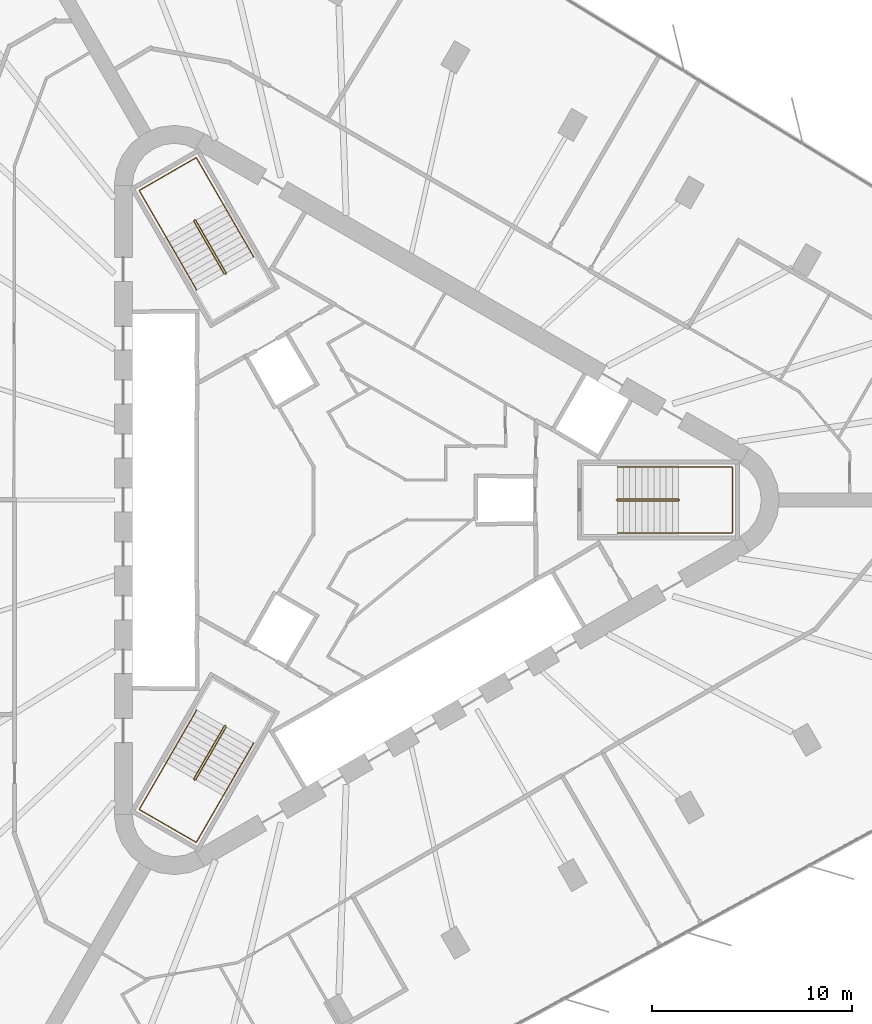
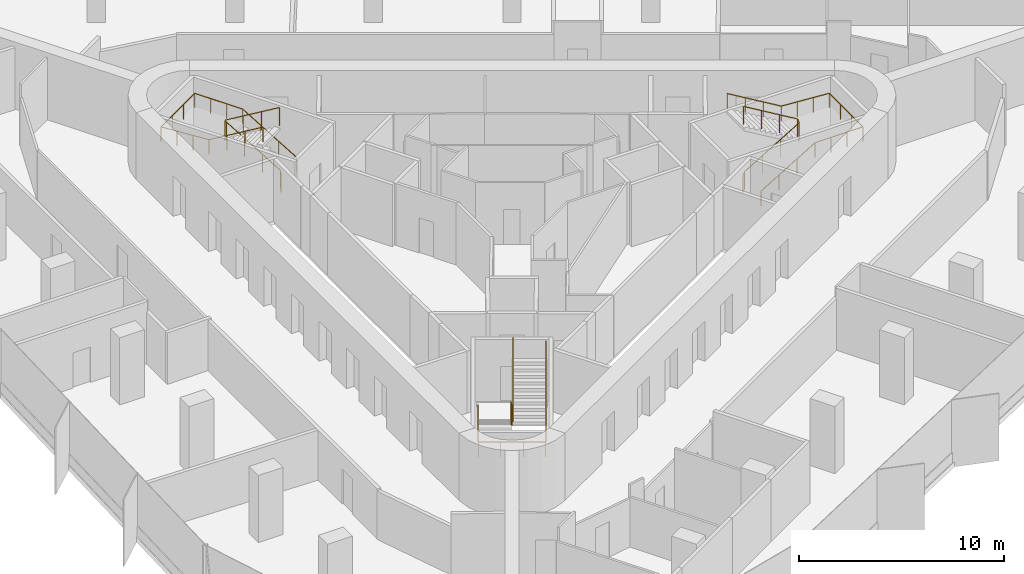
# One storey, part 14 of 14: 6 railings.
"""IFC4 building model written with IfcOpenShell, lengths in metres."""

from ifc_helpers import new_model, si_unit, direction, frame, origin, origin_2d, place, context, subcontext, project, spatial, circle, extrude, material, type_object, element, save


model = new_model("IFC4")

# Units and contexts
model_context = context("Model", 3, precision=1e-05, world=origin(), true_north=direction((0.0, 1.0)))
body_context = subcontext(model_context, "Body", "Model", "MODEL_VIEW")
ifc_project = project(units=[si_unit("LENGTHUNIT", "METRE"), si_unit("AREAUNIT", "SQUARE_METRE"), si_unit("VOLUMEUNIT", "CUBIC_METRE"), si_unit("PLANEANGLEUNIT", "RADIAN"), si_unit("MASSUNIT", "GRAM", prefix="KILO")], contexts=[model_context])

# Site, building, storey
site_placement = place(None, origin())
site = spatial("IfcSite", under=ifc_project, at=site_placement, CompositionType="ELEMENT")
building_placement = place(site_placement, origin())
building = spatial("IfcBuilding", under=site, at=building_placement, Name="Tanit Gate Tower", CompositionType="ELEMENT")
storey_placement = place(building_placement, frame((0.0, 0.0, 245.199951171875)))
storey = spatial("IfcBuildingStorey", under=building, at=storey_placement, Name="L55", CompositionType="ELEMENT", Elevation=245.199951171875)

# Railings
ifc_material_1 = material(Name="Stainless steel balustrade", Category="steel")
railing_type_1 = type_object("IfcRailingType", Name="INT-STAIR-GUARD", PredefinedType="GUARDRAIL", material=ifc_material_1)
railing_1_placement = place(storey_placement, frame((13.044921875, 0.0048828125, 0.0)))
element("IfcRailing", 1, at=railing_1_placement, inside=storey, type_object=railing_type_1, Name="L55 S1 stair guard 1", PredefinedType="GUARDRAIL", context=body_context, shape_type="SweptSolid", body=[
    extrude(circle(Radius=0.02392578125, at=origin_2d()), frame((0.0, 0.0, 1.076171875), z_axis=(0.0, -1.0, 0.0), x_axis=(1.0, 0.0, 0.0)), (0.0, 0.0, 1.0), 0.009765625),
    extrude(circle(Radius=0.02392578125, at=origin_2d()), frame((0.0, -0.009765625, 1.076171875), z_axis=(0.256435381639, -0.256435381639, 0.931923704005), x_axis=(0.707106781187, 0.707106781187, 0.0)), (0.0, 0.0, 1.0), 0.195068359375),
    extrude(circle(Radius=0.02392578125, at=origin_2d()), frame((0.050048828125, -0.059814453125, 1.2578125), z_axis=(0.859041732319, 0.0, 0.511905559781), x_axis=(0.0, 1.0, 0.0)), (0.0, 0.0, 1.0), 3.5517578125),
    extrude(circle(Radius=0.02392578125, at=origin_2d()), frame((3.10107421875, -0.059814453125, 3.076171875), z_axis=(0.707106781187, 0.707106781187, 0.0), x_axis=(-0.707106781187, 0.707106781187, 0.0)), (0.0, 0.0, 1.0), 0.07080078125),
    extrude(circle(Radius=0.02392578125, at=origin_2d()), frame((3.151123046875, -0.009765625, 3.076171875), z_axis=(0.0, 1.0, 0.0), x_axis=(-1.0, 0.0, 0.0)), (0.0, 0.0, 1.0), 0.009765625),
    extrude(circle(Radius=0.02392578125, at=origin_2d()), frame((3.151123046875, 0.0, 3.076171875), z_axis=(-0.256435381639, 0.256435381639, 0.931923704005), x_axis=(-0.707106781187, -0.707106781187, 0.0)), (0.0, 0.0, 1.0), 0.195068359375),
    extrude(circle(Radius=0.02392578125, at=origin_2d()), frame((3.10107421875, 0.050048828125, 3.2578125), z_axis=(-0.859041732319, 0.0, 0.511905559781), x_axis=(0.0, -1.0, 0.0)), (0.0, 0.0, 1.0), 3.5517578125),
    extrude(circle(Radius=0.02099609375, at=origin_2d()), origin(), (0.0, 0.0, 1.0), 1.052001953125),
    extrude(circle(Radius=0.02099609375, at=origin_2d()), frame((0.0, -0.009765625, 0.0)), (0.0, 0.0, 1.0), 1.052001953125),
    extrude(circle(Radius=0.02099609375, at=origin_2d()), frame((0.050048828125, -0.059814453125, 0.181884765625)), (0.0, 0.0, 1.0), 1.052001953125),
    extrude(circle(Radius=0.02099609375, at=origin_2d()), frame((1.067138671875, -0.059814453125, 0.787841796875)), (0.0, 0.0, 1.0), 1.052001953125),
    extrude(circle(Radius=0.02099609375, at=origin_2d()), frame((2.083984375, -0.059814453125, 1.39404296875)), (0.0, 0.0, 1.0), 1.052001953125),
    extrude(circle(Radius=0.02099609375, at=origin_2d()), frame((3.10107421875, -0.059814453125, 2.0)), (0.0, 0.0, 1.0), 1.052001953125),
    extrude(circle(Radius=0.02099609375, at=origin_2d()), frame((3.151123046875, -0.009765625, 2.0)), (0.0, 0.0, 1.0), 1.052001953125),
    extrude(circle(Radius=0.02099609375, at=origin_2d()), frame((3.151123046875, 0.0, 2.0)), (0.0, 0.0, 1.0), 1.052001953125),
    extrude(circle(Radius=0.02099609375, at=origin_2d()), frame((3.10107421875, 0.050048828125, 2.181884765625)), (0.0, 0.0, 1.0), 1.052001953125),
    extrude(circle(Radius=0.02099609375, at=origin_2d()), frame((2.083984375, 0.050048828125, 2.787841796875)), (0.0, 0.0, 1.0), 1.052001953125),
    extrude(circle(Radius=0.02099609375, at=origin_2d()), frame((1.067138671875, 0.050048828125, 3.39404296875)), (0.0, 0.0, 1.0), 1.052001953125),
    extrude(circle(Radius=0.02099609375, at=origin_2d()), frame((0.050048828125, 0.050048828125, 4.0)), (0.0, 0.0, 1.0), 1.052001953125),
])
railing_2_placement = place(storey_placement, frame((-6.527099609375, 11.29345703125, 0.0)))
element("IfcRailing", 2, at=railing_2_placement, inside=storey, type_object=railing_type_1, Name="L55 S2 stair guard 1", PredefinedType="GUARDRAIL", context=body_context, shape_type="SweptSolid", body=[
    extrude(circle(Radius=0.02392578125, at=origin_2d()), frame((0.0, 0.0, 1.076171875), z_axis=(0.868243142124, 0.496138938357, 0.0), x_axis=(-0.496138938357, 0.868243142124, 0.0)), (0.0, 0.0, 1.0), 0.01171875),
    extrude(circle(Radius=0.02392578125, at=origin_2d()), frame((0.01025390625, 0.005859375, 1.076171875), z_axis=(0.093819657636, 0.350260055175, 0.93194193252), x_axis=(-0.965948051503, 0.258736085224, 0.0)), (0.0, 0.0, 1.0), 0.195068359375),
    extrude(circle(Radius=0.02392578125, at=origin_2d()), frame((0.028564453125, 0.07421875, 1.2578125), z_axis=(-0.429472220917, 0.743822504634, 0.512134448226), x_axis=(-0.866012246495, -0.500022788402, 0.0)), (0.0, 0.0, 1.0), 3.550048828125),
    extrude(circle(Radius=0.02392578125, at=origin_2d()), frame((-1.49609375, 2.71484375, 3.076171875), z_axis=(-0.965715946433, 0.259601060869, 0.0), x_axis=(-0.259601060869, -0.965715946433, 0.0)), (0.0, 0.0, 1.0), 0.070556640625),
    extrude(circle(Radius=0.02392578125, at=origin_2d()), frame((-1.564208984375, 2.733154296875, 3.076171875), z_axis=(-0.873197702015, -0.487366159264, 0.0), x_axis=(0.487366159264, -0.873197702015, 0.0)), (0.0, 0.0, 1.0), 0.011962890625),
    extrude(circle(Radius=0.02392578125, at=origin_2d()), frame((-1.57470703125, 2.727294921875, 3.076171875), z_axis=(-0.093819657636, -0.350260055175, 0.93194193252), x_axis=(0.965948051503, -0.258736085224, 0.0)), (0.0, 0.0, 1.0), 0.195068359375),
    extrude(circle(Radius=0.02392578125, at=origin_2d()), frame((-1.593017578125, 2.658935546875, 3.2578125), z_axis=(0.429472220917, -0.743822504634, 0.512134448226), x_axis=(0.866012246495, 0.500022788402, 0.0)), (0.0, 0.0, 1.0), 3.550048828125),
    extrude(circle(Radius=0.02099609375, at=origin_2d()), origin(), (0.0, 0.0, 1.0), 1.052001953125),
    extrude(circle(Radius=0.02099609375, at=origin_2d()), frame((0.01025390625, 0.005859375, 0.0)), (0.0, 0.0, 1.0), 1.052001953125),
    extrude(circle(Radius=0.02099609375, at=origin_2d()), frame((0.028564453125, 0.07421875, 0.181884765625)), (0.0, 0.0, 1.0), 1.052001953125),
    extrude(circle(Radius=0.02099609375, at=origin_2d()), frame((-0.479736328125, 0.954345703125, 0.787841796875)), (0.0, 0.0, 1.0), 1.052001953125),
    extrude(circle(Radius=0.02099609375, at=origin_2d()), frame((-0.98779296875, 1.834716796875, 1.39404296875)), (0.0, 0.0, 1.0), 1.052001953125),
    extrude(circle(Radius=0.02099609375, at=origin_2d()), frame((-1.49609375, 2.71484375, 2.0)), (0.0, 0.0, 1.0), 1.052001953125),
    extrude(circle(Radius=0.02099609375, at=origin_2d()), frame((-1.564208984375, 2.733154296875, 2.0)), (0.0, 0.0, 1.0), 1.052001953125),
    extrude(circle(Radius=0.02099609375, at=origin_2d()), frame((-1.57470703125, 2.727294921875, 2.0)), (0.0, 0.0, 1.0), 1.052001953125),
    extrude(circle(Radius=0.02099609375, at=origin_2d()), frame((-1.593017578125, 2.658935546875, 2.181884765625)), (0.0, 0.0, 1.0), 1.052001953125),
    extrude(circle(Radius=0.02099609375, at=origin_2d()), frame((-1.084716796875, 1.77880859375, 2.787841796875)), (0.0, 0.0, 1.0), 1.052001953125),
    extrude(circle(Radius=0.02099609375, at=origin_2d()), frame((-0.57666015625, 0.8984375, 3.39404296875)), (0.0, 0.0, 1.0), 1.052001953125),
    extrude(circle(Radius=0.02099609375, at=origin_2d()), frame((-0.068359375, 0.018310546875, 4.0)), (0.0, 0.0, 1.0), 1.052001953125),
])
railing_3_placement = place(storey_placement, frame((-6.51806640625, -11.2998046875, 0.0)))
element("IfcRailing", 3, at=railing_3_placement, inside=storey, type_object=railing_type_1, Name="L55 S3 stair guard 1", PredefinedType="GUARDRAIL", context=body_context, shape_type="SweptSolid", body=[
    extrude(circle(Radius=0.02392578125, at=origin_2d()), frame((0.0, 0.0, 1.076171875), z_axis=(-0.874157276122, 0.485642931179, 0.0), x_axis=(-0.485642931179, -0.874157276122, 0.0)), (0.0, 0.0, 1.0), 0.010009765625),
    extrude(circle(Radius=0.02392578125, at=origin_2d()), frame((-0.0087890625, 0.0048828125, 1.076171875), z_axis=(-0.350300895388, -0.092579522353, 0.932050596658), x_axis=(0.255512919477, -0.966805641264, 0.0)), (0.0, 0.0, 1.0), 0.195068359375),
    extrude(circle(Radius=0.02392578125, at=origin_2d()), frame((-0.0771484375, -0.01318359375, 1.2578125), z_axis=(-0.429486674828, -0.743971555965, 0.511905772639), x_axis=(0.866048339477, -0.499960272111, 0.0)), (0.0, 0.0, 1.0), 3.5517578125),
    extrude(circle(Radius=0.02392578125, at=origin_2d()), frame((-1.6025390625, -2.655517578125, 3.076171875), z_axis=(0.258736085224, -0.965948051503, 0.0), x_axis=(0.965948051503, 0.258736085224, 0.0)), (0.0, 0.0, 1.0), 0.07080078125),
    extrude(circle(Radius=0.02392578125, at=origin_2d()), frame((-1.584228515625, -2.723876953125, 3.076171875), z_axis=(0.868243142124, -0.496138938357, 0.0), x_axis=(0.496138938357, 0.868243142124, 0.0)), (0.0, 0.0, 1.0), 0.009765625),
    extrude(circle(Radius=0.02392578125, at=origin_2d()), frame((-1.57568359375, -2.728759765625, 3.076171875), z_axis=(0.350260055175, 0.093819657636, 0.93194193252), x_axis=(-0.258736085224, 0.965948051503, 0.0)), (0.0, 0.0, 1.0), 0.195068359375),
    extrude(circle(Radius=0.02392578125, at=origin_2d()), frame((-1.50732421875, -2.71044921875, 3.2578125), z_axis=(0.429564698942, 0.743918894535, 0.511916836777), x_axis=(-0.865993683553, 0.500054937028, 0.0)), (0.0, 0.0, 1.0), 3.551513671875),
    extrude(circle(Radius=0.02099609375, at=origin_2d()), origin(), (0.0, 0.0, 1.0), 1.052001953125),
    extrude(circle(Radius=0.02099609375, at=origin_2d()), frame((-0.0087890625, 0.0048828125, 0.0)), (0.0, 0.0, 1.0), 1.052001953125),
    extrude(circle(Radius=0.02099609375, at=origin_2d()), frame((-0.0771484375, -0.01318359375, 0.181884765625)), (0.0, 0.0, 1.0), 1.052001953125),
    extrude(circle(Radius=0.02099609375, at=origin_2d()), frame((-0.585693359375, -0.89404296875, 0.787841796875)), (0.0, 0.0, 1.0), 1.052001953125),
    extrude(circle(Radius=0.02099609375, at=origin_2d()), frame((-1.093994140625, -1.774658203125, 1.39404296875)), (0.0, 0.0, 1.0), 1.052001953125),
    extrude(circle(Radius=0.02099609375, at=origin_2d()), frame((-1.6025390625, -2.655517578125, 2.0)), (0.0, 0.0, 1.0), 1.052001953125),
    extrude(circle(Radius=0.02099609375, at=origin_2d()), frame((-1.584228515625, -2.723876953125, 2.0)), (0.0, 0.0, 1.0), 1.052001953125),
    extrude(circle(Radius=0.02099609375, at=origin_2d()), frame((-1.57568359375, -2.728759765625, 2.0)), (0.0, 0.0, 1.0), 1.052001953125),
    extrude(circle(Radius=0.02099609375, at=origin_2d()), frame((-1.50732421875, -2.71044921875, 2.181884765625)), (0.0, 0.0, 1.0), 1.052001953125),
    extrude(circle(Radius=0.02099609375, at=origin_2d()), frame((-0.998779296875, -1.829833984375, 2.787841796875)), (0.0, 0.0, 1.0), 1.052001953125),
    extrude(circle(Radius=0.02099609375, at=origin_2d()), frame((-0.490234375, -0.948974609375, 3.39404296875)), (0.0, 0.0, 1.0), 1.052001953125),
    extrude(circle(Radius=0.02099609375, at=origin_2d()), frame((0.018310546875, -0.068359375, 4.0)), (0.0, 0.0, 1.0), 1.052001953125),
])
ifc_material_2 = material(Name="Stainless steel handrail", Category="steel")
railing_type_2 = type_object("IfcRailingType", Name="INT-STAIR-HANDRAIL", PredefinedType="HANDRAIL", material=ifc_material_2)
railing_4_placement = place(storey_placement, frame((13.094970703125, -1.64990234375, 0.181884765625)))
element("IfcRailing", 4, at=railing_4_placement, inside=storey, type_object=railing_type_2, Name="L55 S1 stair handrail 1", PredefinedType="HANDRAIL", context=body_context, shape_type="SweptSolid", body=[
    extrude(circle(Radius=0.02392578125, at=origin_2d()), frame((0.0, 0.0, 0.8759765625), z_axis=(0.859041732319, 0.0, 0.511905559781), x_axis=(0.0, 1.0, 0.0)), (0.0, 0.0, 1.0), 3.5517578125),
    extrude(circle(Radius=0.02392578125, at=origin_2d()), frame((3.051025390625, 0.0, 2.69384765625), z_axis=(1.0, 0.0, 0.0), x_axis=(0.0, 1.0, 0.0)), (0.0, 0.0, 1.0), 2.7041015625),
    extrude(circle(Radius=0.02392578125, at=origin_2d()), frame((5.755126953125, 0.0, 2.69384765625), z_axis=(0.0, 1.0, 0.0), x_axis=(-1.0, 0.0, 0.0)), (0.0, 0.0, 1.0), 3.2998046875),
    extrude(circle(Radius=0.02392578125, at=origin_2d()), frame((5.755126953125, 3.2998046875, 2.69384765625), z_axis=(-0.997745521698, 0.0, 0.067110907698), x_axis=(0.0, -1.0, 0.0)), (0.0, 0.0, 1.0), 2.710205078125),
    extrude(circle(Radius=0.02392578125, at=origin_2d()), frame((3.051025390625, 3.2998046875, 2.8759765625), z_axis=(-0.859041732319, 0.0, 0.511905559781), x_axis=(0.0, -1.0, 0.0)), (0.0, 0.0, 1.0), 3.5517578125),
    extrude(circle(Radius=0.02099609375, at=origin_2d()), origin(), (0.0, 0.0, 1.0), 0.851806640625),
    extrude(circle(Radius=0.02099609375, at=origin_2d()), frame((1.01708984375, 0.0, 0.60595703125)), (0.0, 0.0, 1.0), 0.851806640625),
    extrude(circle(Radius=0.02099609375, at=origin_2d()), frame((2.033935546875, 0.0, 1.212158203125)), (0.0, 0.0, 1.0), 0.851806640625),
    extrude(circle(Radius=0.02099609375, at=origin_2d()), frame((3.051025390625, 0.0, 1.818115234375)), (0.0, 0.0, 1.0), 0.851806640625),
    extrude(circle(Radius=0.02099609375, at=origin_2d()), frame((3.952392578125, 0.0, 1.818115234375)), (0.0, 0.0, 1.0), 0.851806640625),
    extrude(circle(Radius=0.02099609375, at=origin_2d()), frame((4.853759765625, 0.0, 1.818115234375)), (0.0, 0.0, 1.0), 0.851806640625),
    extrude(circle(Radius=0.02099609375, at=origin_2d()), frame((5.755126953125, 0.0, 1.818115234375)), (0.0, 0.0, 1.0), 0.851806640625),
    extrude(circle(Radius=0.02099609375, at=origin_2d()), frame((5.755126953125, 1.099853515625, 1.818115234375)), (0.0, 0.0, 1.0), 0.851806640625),
    extrude(circle(Radius=0.02099609375, at=origin_2d()), frame((5.755126953125, 2.199951171875, 1.818115234375)), (0.0, 0.0, 1.0), 0.851806640625),
    extrude(circle(Radius=0.02099609375, at=origin_2d()), frame((5.755126953125, 3.2998046875, 1.818115234375)), (0.0, 0.0, 1.0), 0.851806640625),
    extrude(circle(Radius=0.02099609375, at=origin_2d()), frame((4.853759765625, 3.2998046875, 1.878662109375)), (0.0, 0.0, 1.0), 0.851806640625),
    extrude(circle(Radius=0.02099609375, at=origin_2d()), frame((3.952392578125, 3.2998046875, 1.939453125)), (0.0, 0.0, 1.0), 0.851806640625),
    extrude(circle(Radius=0.02099609375, at=origin_2d()), frame((3.051025390625, 3.2998046875, 2.0)), (0.0, 0.0, 1.0), 0.851806640625),
    extrude(circle(Radius=0.02099609375, at=origin_2d()), frame((2.033935546875, 3.2998046875, 2.60595703125)), (0.0, 0.0, 1.0), 0.851806640625),
    extrude(circle(Radius=0.02099609375, at=origin_2d()), frame((1.01708984375, 3.2998046875, 3.212158203125)), (0.0, 0.0, 1.0), 0.851806640625),
    extrude(circle(Radius=0.02099609375, at=origin_2d()), frame((0.0, 3.2998046875, 3.818115234375)), (0.0, 0.0, 1.0), 0.851806640625),
])
railing_5_placement = place(storey_placement, frame((-5.1181640625, 12.164794921875, 0.181884765625)))
element("IfcRailing", 5, at=railing_5_placement, inside=storey, type_object=railing_type_2, Name="L55 S2 stair handrail 1", PredefinedType="HANDRAIL", context=body_context, shape_type="SweptSolid", body=[
    extrude(circle(Radius=0.02392578125, at=origin_2d()), frame((0.0, 0.0, 0.8759765625), z_axis=(-0.429416132344, 0.743844472684, 0.512149573602), x_axis=(-0.866046917185, -0.499962735845, 0.0)), (0.0, 0.0, 1.0), 3.550048828125),
    extrude(circle(Radius=0.02392578125, at=origin_2d()), frame((-1.5244140625, 2.640625, 2.69384765625), z_axis=(-0.500019123664, 0.86601436245, 0.0), x_axis=(-0.86601436245, -0.500019123664, 0.0)), (0.0, 0.0, 1.0), 2.70703125),
    extrude(circle(Radius=0.02392578125, at=origin_2d()), frame((-2.8779296875, 4.98486328125, 2.69384765625), z_axis=(-0.866008176907, -0.50002983664, 0.0), x_axis=(0.50002983664, -0.866008176907, 0.0)), (0.0, 0.0, 1.0), 3.300048828125),
    extrude(circle(Radius=0.02392578125, at=origin_2d()), frame((-5.73583984375, 3.334716796875, 2.69384765625), z_axis=(0.498932980467, -0.864043208057, 0.067046369128), x_axis=(0.865991810323, 0.500058181068, 0.0)), (0.0, 0.0, 1.0), 2.712890625),
    extrude(circle(Radius=0.02392578125, at=origin_2d()), frame((-4.38232421875, 0.99072265625, 2.8759765625), z_axis=(0.429450252752, -0.743853224023, 0.512108251761), x_axis=(0.866032263162, 0.499988119021, 0.0)), (0.0, 0.0, 1.0), 3.55029296875),
    extrude(circle(Radius=0.02099609375, at=origin_2d()), origin(), (0.0, 0.0, 1.0), 0.851806640625),
    extrude(circle(Radius=0.02099609375, at=origin_2d()), frame((-0.508056640625, 0.880126953125, 0.60595703125)), (0.0, 0.0, 1.0), 0.851806640625),
    extrude(circle(Radius=0.02099609375, at=origin_2d()), frame((-1.016357421875, 1.760498046875, 1.212158203125)), (0.0, 0.0, 1.0), 0.851806640625),
    extrude(circle(Radius=0.02099609375, at=origin_2d()), frame((-1.5244140625, 2.640625, 1.818115234375)), (0.0, 0.0, 1.0), 0.851806640625),
    extrude(circle(Radius=0.02099609375, at=origin_2d()), frame((-1.9755859375, 3.422119140625, 1.818115234375)), (0.0, 0.0, 1.0), 0.851806640625),
    extrude(circle(Radius=0.02099609375, at=origin_2d()), frame((-2.4267578125, 4.203369140625, 1.818115234375)), (0.0, 0.0, 1.0), 0.851806640625),
    extrude(circle(Radius=0.02099609375, at=origin_2d()), frame((-2.8779296875, 4.98486328125, 1.818115234375)), (0.0, 0.0, 1.0), 0.851806640625),
    extrude(circle(Radius=0.02099609375, at=origin_2d()), frame((-3.83056640625, 4.434814453125, 1.818115234375)), (0.0, 0.0, 1.0), 0.851806640625),
    extrude(circle(Radius=0.02099609375, at=origin_2d()), frame((-4.783203125, 3.884765625, 1.818115234375)), (0.0, 0.0, 1.0), 0.851806640625),
    extrude(circle(Radius=0.02099609375, at=origin_2d()), frame((-5.73583984375, 3.334716796875, 1.818115234375)), (0.0, 0.0, 1.0), 0.851806640625),
    extrude(circle(Radius=0.02099609375, at=origin_2d()), frame((-5.28466796875, 2.553466796875, 1.878662109375)), (0.0, 0.0, 1.0), 0.851806640625),
    extrude(circle(Radius=0.02099609375, at=origin_2d()), frame((-4.83349609375, 1.77197265625, 1.939453125)), (0.0, 0.0, 1.0), 0.851806640625),
    extrude(circle(Radius=0.02099609375, at=origin_2d()), frame((-4.38232421875, 0.99072265625, 2.0)), (0.0, 0.0, 1.0), 0.851806640625),
    extrude(circle(Radius=0.02099609375, at=origin_2d()), frame((-3.8740234375, 0.1103515625, 2.60595703125)), (0.0, 0.0, 1.0), 0.851806640625),
    extrude(circle(Radius=0.02099609375, at=origin_2d()), frame((-3.365966796875, -0.769775390625, 3.212158203125)), (0.0, 0.0, 1.0), 0.851806640625),
    extrude(circle(Radius=0.02099609375, at=origin_2d()), frame((-2.857666015625, -1.650146484375, 3.818115234375)), (0.0, 0.0, 1.0), 0.851806640625),
])
railing_6_placement = place(storey_placement, frame((-7.9765625, -10.515625, 0.181884765625)))
element("IfcRailing", 6, at=railing_6_placement, inside=storey, type_object=railing_type_2, Name="L55 S3 stair handrail 1", PredefinedType="HANDRAIL", context=body_context, shape_type="SweptSolid", body=[
    extrude(circle(Radius=0.02392578125, at=origin_2d()), frame((0.0, 0.0, 0.8759765625), z_axis=(-0.429486674828, -0.743971555965, 0.511905772639), x_axis=(0.866048339477, -0.499960272111, 0.0)), (0.0, 0.0, 1.0), 3.5517578125),
    extrude(circle(Radius=0.02392578125, at=origin_2d()), frame((-1.525390625, -2.642333984375, 2.69384765625), z_axis=(-0.50004290449, -0.866000631449, 0.0), x_axis=(0.866000631449, -0.50004290449, 0.0)), (0.0, 0.0, 1.0), 2.703857421875),
    extrude(circle(Radius=0.02392578125, at=origin_2d()), frame((-2.87744140625, -4.98388671875, 2.69384765625), z_axis=(0.866008176907, -0.50002983664, 0.0), x_axis=(0.50002983664, 0.866008176907, 0.0)), (0.0, 0.0, 1.0), 3.300048828125),
    extrude(circle(Radius=0.02392578125, at=origin_2d()), frame((-0.01953125, -6.634033203125, 2.69384765625), z_axis=(0.498876541924, 0.864070745781, 0.067111416348), x_axis=(-0.866023205937, 0.500003806764, 0.0)), (0.0, 0.0, 1.0), 2.710205078125),
    extrude(circle(Radius=0.02392578125, at=origin_2d()), frame((1.33251953125, -4.292236328125, 2.8759765625), z_axis=(0.429486674828, 0.743971555965, 0.511905772639), x_axis=(-0.866048339477, 0.499960272111, 0.0)), (0.0, 0.0, 1.0), 3.5517578125),
    extrude(circle(Radius=0.02099609375, at=origin_2d()), origin(), (0.0, 0.0, 1.0), 0.851806640625),
    extrude(circle(Radius=0.02099609375, at=origin_2d()), frame((-0.508544921875, -0.880859375, 0.60595703125)), (0.0, 0.0, 1.0), 0.851806640625),
    extrude(circle(Radius=0.02099609375, at=origin_2d()), frame((-1.016845703125, -1.761474609375, 1.212158203125)), (0.0, 0.0, 1.0), 0.851806640625),
    extrude(circle(Radius=0.02099609375, at=origin_2d()), frame((-1.525390625, -2.642333984375, 1.818115234375)), (0.0, 0.0, 1.0), 0.851806640625),
    extrude(circle(Radius=0.02099609375, at=origin_2d()), frame((-1.97607421875, -3.4228515625, 1.818115234375)), (0.0, 0.0, 1.0), 0.851806640625),
    extrude(circle(Radius=0.02099609375, at=origin_2d()), frame((-2.4267578125, -4.203369140625, 1.818115234375)), (0.0, 0.0, 1.0), 0.851806640625),
    extrude(circle(Radius=0.02099609375, at=origin_2d()), frame((-2.87744140625, -4.98388671875, 1.818115234375)), (0.0, 0.0, 1.0), 0.851806640625),
    extrude(circle(Radius=0.02099609375, at=origin_2d()), frame((-1.9248046875, -5.533935546875, 1.818115234375)), (0.0, 0.0, 1.0), 0.851806640625),
    extrude(circle(Radius=0.02099609375, at=origin_2d()), frame((-0.97216796875, -6.083984375, 1.818115234375)), (0.0, 0.0, 1.0), 0.851806640625),
    extrude(circle(Radius=0.02099609375, at=origin_2d()), frame((-0.01953125, -6.634033203125, 1.818115234375)), (0.0, 0.0, 1.0), 0.851806640625),
    extrude(circle(Radius=0.02099609375, at=origin_2d()), frame((0.43115234375, -5.853515625, 1.878662109375)), (0.0, 0.0, 1.0), 0.851806640625),
    extrude(circle(Radius=0.02099609375, at=origin_2d()), frame((0.8818359375, -5.07275390625, 1.939453125)), (0.0, 0.0, 1.0), 0.851806640625),
    extrude(circle(Radius=0.02099609375, at=origin_2d()), frame((1.33251953125, -4.292236328125, 2.0)), (0.0, 0.0, 1.0), 0.851806640625),
    extrude(circle(Radius=0.02099609375, at=origin_2d()), frame((1.841064453125, -3.411376953125, 2.60595703125)), (0.0, 0.0, 1.0), 0.851806640625),
    extrude(circle(Radius=0.02099609375, at=origin_2d()), frame((2.349365234375, -2.53076171875, 3.212158203125)), (0.0, 0.0, 1.0), 0.851806640625),
    extrude(circle(Radius=0.02099609375, at=origin_2d()), frame((2.85791015625, -1.64990234375, 3.818115234375)), (0.0, 0.0, 1.0), 0.851806640625),
])

save(model, "model.ifc")
